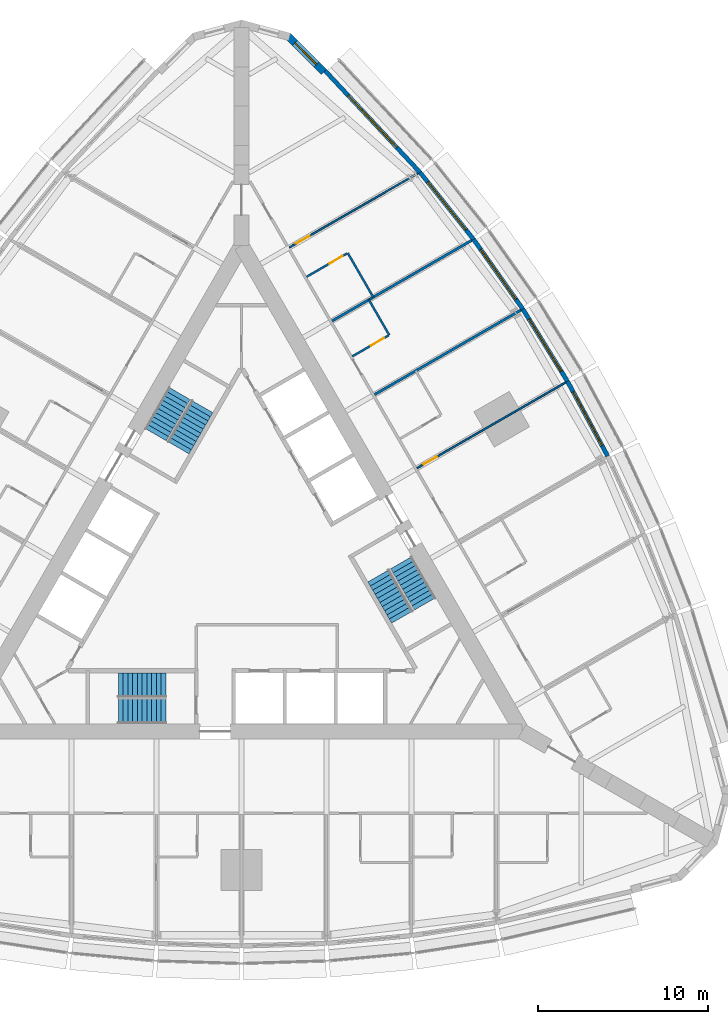
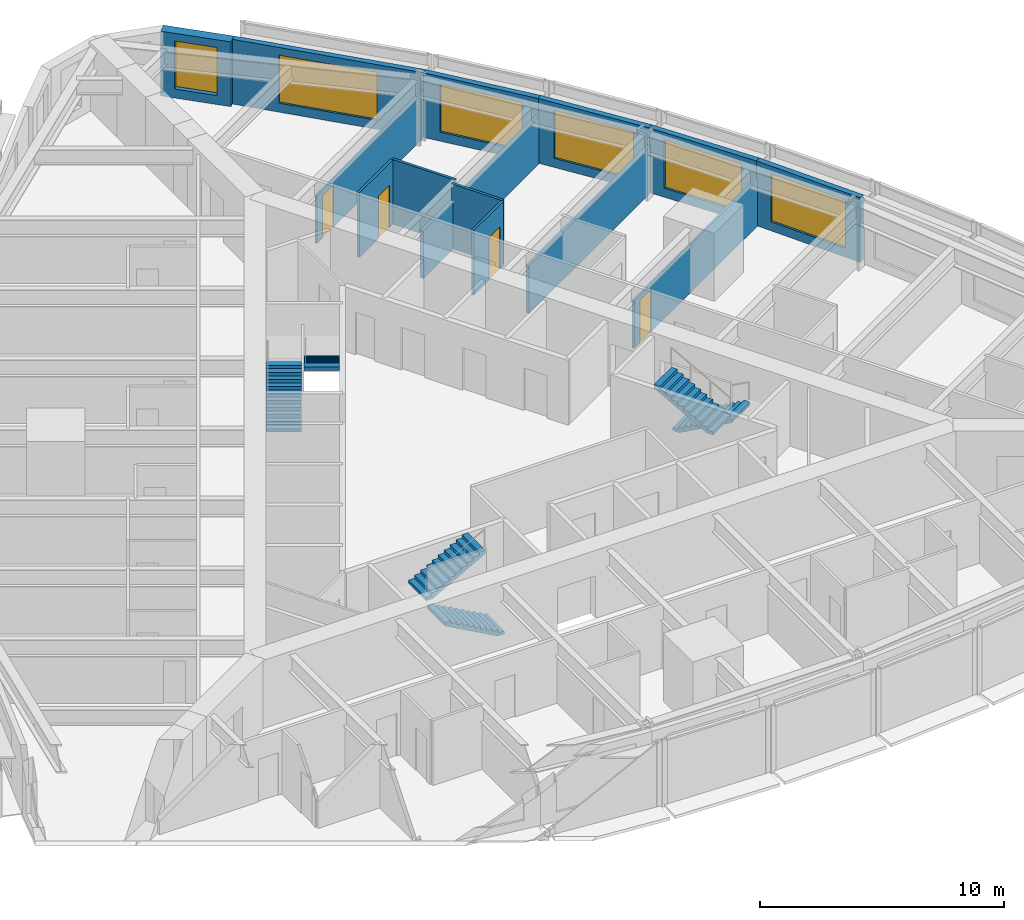
# One storey, part 13 of 14: 14 walls, 6 stair flights, 6 windows, 4 doors, 10 openings, 3 elements without a shape of their own.
"""IFC4 building model written with IfcOpenShell, lengths in metres."""

from ifc_helpers import new_model, si_unit, direction, frame, frame_2d, origin, place, context, subcontext, project, spatial, polyline, rectangle, outline, extrude, material, layer, layer_set, type_object, element, fill, aggregate, save


model = new_model("IFC4")

# Units and contexts
model_context = context("Model", 3, precision=1e-05, world=origin(), true_north=direction((0.0, 1.0)))
body_context = subcontext(model_context, "Body", "Model", "MODEL_VIEW")
ifc_project = project(units=[si_unit("LENGTHUNIT", "METRE"), si_unit("AREAUNIT", "SQUARE_METRE"), si_unit("VOLUMEUNIT", "CUBIC_METRE"), si_unit("PLANEANGLEUNIT", "RADIAN"), si_unit("MASSUNIT", "GRAM", prefix="KILO")], contexts=[model_context])

# Site, building, storey
site_placement = place(None, origin())
site = spatial("IfcSite", under=ifc_project, at=site_placement, CompositionType="ELEMENT")
building_placement = place(site_placement, origin())
building = spatial("IfcBuilding", under=site, at=building_placement, Name="Trikona Tower", CompositionType="ELEMENT")
storey_placement = place(building_placement, frame((0.0, 0.0, 76.10009765625)))
storey = spatial("IfcBuildingStorey", under=building, at=storey_placement, Name="L19", CompositionType="ELEMENT", Elevation=76.10009765625)

# Wall
ifc_material_1 = material(Name="Metal stud and cement board", Category="gypsum")
ifc_layer_1 = layer(ifc_material_1, 0.1201171875)
ifc_layer_set_1 = layer_set([ifc_layer_1], Name="Bathroom wall 120")
wall_type_1 = type_object("IfcWallType", Name="Bathroom wall 120", PredefinedType="PLUMBINGWALL", material=ifc_layer_set_1)
wall_1_placement = place(storey_placement, frame((8.693603515625, 13.794921875, 0.0), z_axis=(0.0, 0.0, 1.0), x_axis=(-0.500077600433, 0.865980596518, 0.0)))
element("IfcWall", 1, at=wall_1_placement, inside=storey, type_object=wall_type_1, Name="Bathroom wall 1910", PredefinedType="PLUMBINGWALL", context=body_context, shape_type="SweptSolid", body=[
    extrude(rectangle(XDim=2.39990234375, YDim=0.1201171875, at=frame_2d((1.199951171875, 0.0))), origin(), (0.0, 0.0, 1.0), 3.23486328125),
])

# Wall, opening, door
wall_2_placement = place(storey_placement, frame((6.528564453125, 12.544921875, 0.0), z_axis=(0.0, 0.0, 1.0), x_axis=(0.866023955769, 0.500002508028, 0.0)))
wall_2 = element("IfcWall", 2, at=wall_2_placement, inside=storey, type_object=wall_type_1, Name="Bathroom wall 1910", PredefinedType="PLUMBINGWALL", context=body_context, shape_type="SweptSolid", body=[
    extrude(rectangle(XDim=2.43994140625, YDim=0.1201171875, at=frame_2d((1.219970703125, 0.0))), origin(), (0.0, 0.0, 1.0), 3.23486328125),
])
opening_1_placement = place(wall_2_placement, frame((1.25, 0.0, 0.0)))
opening_1 = element("IfcOpeningElement", 3, at=opening_1_placement, cuts=wall_2, Name="Opening D2", PredefinedType="OPENING", context=body_context, shape_type="SweptSolid", body=[
    extrude(rectangle(XDim=0.89990234375, YDim=2.1298828125, at=frame_2d((0.449951171875, 1.06494140625))), frame((0.0, 0.070068359375, 0.0), z_axis=(0.0, -1.0, 0.0), x_axis=(1.0, 0.0, 0.0)), (0.0, 0.0, 1.0), 0.14013671875),
])
ifc_material_2 = material(Name="Steel door frame with solid-core timber leaf", Category="steel")
door_type_1 = type_object("IfcDoorType", Name="Bathroom door 900x2130", OperationType="SLIDING_TO_LEFT", PredefinedType="DOOR", material=ifc_material_2)
door_1_placement = place(opening_1_placement, origin())
door_1 = element("IfcDoor", 4, at=door_1_placement, inside=storey, type_object=door_type_1, Name="Bathroom door 1910", OperationType="SLIDING_TO_LEFT", OverallHeight=2.1298828125, OverallWidth=0.89990234375, PredefinedType="DOOR", context=body_context, shape_type="SweptSolid", body=[
    extrude(rectangle(XDim=0.89990234375, YDim=2.1298828125, at=frame_2d((0.449951171875, 1.06494140625))), frame((0.0, 0.02490234375, 0.0), z_axis=(0.0, -1.0, 0.0), x_axis=(1.0, 0.0, 0.0)), (0.0, 0.0, 1.0), 0.050048828125),
])
fill(opening_1, door_1)

# Wall
wall_3_placement = place(storey_placement, frame((7.75341796875, 16.0234375, 0.0), z_axis=(0.0, 0.0, 1.0), x_axis=(-0.499990139034, 0.866031096941, 0.0)))
element("IfcWall", 5, at=wall_3_placement, inside=storey, type_object=wall_type_1, Name="Bathroom wall 1911.1", PredefinedType="PLUMBINGWALL", context=body_context, shape_type="SweptSolid", body=[
    extrude(rectangle(XDim=3.0, YDim=0.1201171875, at=frame_2d((1.5, 0.0))), origin(), (0.0, 0.0, 1.0), 3.23486328125),
])

# Wall, opening, door
wall_4_placement = place(storey_placement, frame((3.82861328125, 17.221435546875, 0.0), z_axis=(0.0, 0.0, 1.0), x_axis=(0.865997131366, 0.500048966069, 0.0)))
wall_4 = element("IfcWall", 6, at=wall_4_placement, inside=storey, type_object=wall_type_1, Name="Bathroom wall 1911.1", PredefinedType="PLUMBINGWALL", context=body_context, shape_type="SweptSolid", body=[
    extrude(rectangle(XDim=2.739990234375, YDim=0.1201171875, at=frame_2d((1.3701171875, 0.0))), origin(), (0.0, 0.0, 1.0), 3.23486328125),
])
opening_2_placement = place(wall_4_placement, frame((1.550048828125, 0.0, 0.0)))
opening_2 = element("IfcOpeningElement", 7, at=opening_2_placement, cuts=wall_4, Name="Opening D2", PredefinedType="OPENING", context=body_context, shape_type="SweptSolid", body=[
    extrude(rectangle(XDim=0.89990234375, YDim=2.1298828125, at=frame_2d((0.449951171875, 1.06494140625))), frame((0.0, 0.070068359375, 0.0), z_axis=(0.0, -1.0, 0.0), x_axis=(1.0, 0.0, 0.0)), (0.0, 0.0, 1.0), 0.14013671875),
])
door_2_placement = place(opening_2_placement, origin())
door_2 = element("IfcDoor", 8, at=door_2_placement, inside=storey, type_object=door_type_1, Name="Bathroom door 1911.1", OperationType="SLIDING_TO_LEFT", OverallHeight=2.1298828125, OverallWidth=0.89990234375, PredefinedType="DOOR", context=body_context, shape_type="SweptSolid", body=[
    extrude(rectangle(XDim=0.89990234375, YDim=2.1298828125, at=frame_2d((0.449951171875, 1.06494140625))), frame((0.0, 0.02490234375, 0.0), z_axis=(0.0, -1.0, 0.0), x_axis=(1.0, 0.0, 0.0)), (0.0, 0.0, 1.0), 0.050048828125),
])
fill(opening_2, door_2)

# Wall, opening, window
ifc_material_3 = material(Name="Brick-faced precast concrete", Category="masonry")
ifc_layer_2 = layer(ifc_material_3, 0.449951171875)
ifc_layer_set_2 = layer_set([ifc_layer_2], Name="Brick-faced corner wall 450")
wall_type_2 = type_object("IfcWallType", Name="Brick-faced corner wall 450", PredefinedType="SOLIDWALL", material=ifc_layer_set_2)
wall_5_placement = place(storey_placement, frame((4.8408203125, 29.285888671875, 0.0), z_axis=(0.0, 0.0, 1.0), x_axis=(-0.707106781187, 0.707106781187, 0.0)))
wall_5 = element("IfcWall", 9, at=wall_5_placement, inside=storey, type_object=wall_type_2, Name="External wall L19-20", PredefinedType="SOLIDWALL", context=body_context, shape_type="SweptSolid", body=[
    extrude(rectangle(XDim=2.98828125, YDim=0.449951171875, at=frame_2d((1.494140625, 0.0))), origin(), (0.0, 0.0, 1.0), 3.23486328125),
])
opening_3_placement = place(wall_5_placement, frame((0.59423828125, 0.0, 0.449951171875)))
opening_3 = element("IfcOpeningElement", 10, at=opening_3_placement, cuts=wall_5, Name="Opening W1824", PredefinedType="OPENING", context=body_context, shape_type="SweptSolid", body=[
    extrude(rectangle(XDim=1.800048828125, YDim=2.39990234375, at=frame_2d((0.89990234375, 1.199951171875))), frame((0.0, 0.23486328125, 0.0), z_axis=(0.0, -1.0, 0.0), x_axis=(1.0, 0.0, 0.0)), (0.0, 0.0, 1.0), 0.469970703125),
])
ifc_material_4 = material(Name="Aluminium-framed double glazing", Category="aluminium")
window_type_1 = type_object("IfcWindowType", Name="Window 1800x2400", PartitioningType="SINGLE_PANEL", PredefinedType="WINDOW", material=ifc_material_4)
window_1_placement = place(opening_3_placement, origin())
window_1 = element("IfcWindow", 11, at=window_1_placement, inside=storey, type_object=window_type_1, Name="Window 1911", OverallHeight=2.39990234375, OverallWidth=1.800048828125, PartitioningType="SINGLE_PANEL", PredefinedType="WINDOW", context=body_context, shape_type="SweptSolid", body=[
    extrude(rectangle(XDim=1.800048828125, YDim=2.39990234375, at=frame_2d((0.89990234375, 1.199951171875))), frame((0.0, 0.030029296875, 0.0), z_axis=(0.0, -1.0, 0.0), x_axis=(1.0, 0.0, 0.0)), (0.0, 0.0, 1.0), 0.06005859375),
])
fill(opening_3, window_1)

ifc_material_5 = material(Name="Insulated precast concrete spandrel panel", Category="concrete")
ifc_layer_3 = layer(ifc_material_5, 0.25)
ifc_layer_set_3 = layer_set([ifc_layer_3], Name="Inner skin wall 250")
wall_type_3 = type_object("IfcWallType", Name="Inner skin wall 250", PredefinedType="STANDARD", material=ifc_layer_set_3)
wall_6_placement = place(storey_placement, frame((21.546630859375, 6.6708984375, 0.0), z_axis=(0.0, 0.0, 1.0), x_axis=(-0.473412820489, 0.880840678782, 0.0)))
wall_6 = element("IfcWall", 12, at=wall_6_placement, inside=storey, type_object=wall_type_3, Name="External wall L19-15", PredefinedType="STANDARD", context=body_context, shape_type="SweptSolid", body=[
    extrude(rectangle(XDim=5.00244140625, YDim=0.25, at=frame_2d((2.501220703125, 0.0))), origin(), (0.0, 0.0, 1.0), 3.23486328125),
])
opening_4_placement = place(wall_6_placement, frame((0.701171875, 0.0, 0.449951171875)))
opening_4 = element("IfcOpeningElement", 13, at=opening_4_placement, cuts=wall_6, Name="Opening W3624", PredefinedType="OPENING", context=body_context, shape_type="SweptSolid", body=[
    extrude(rectangle(XDim=3.60009765625, YDim=2.39990234375, at=frame_2d((1.800048828125, 1.199951171875))), frame((0.0, 0.135009765625, 0.0), z_axis=(0.0, -1.0, 0.0), x_axis=(1.0, 0.0, 0.0)), (0.0, 0.0, 1.0), 0.27001953125),
])
ifc_material_6 = material(Name="Aluminium-framed double glazing", Category="aluminium")
window_type_2 = type_object("IfcWindowType", Name="Window 3600x2400", PartitioningType="SINGLE_PANEL", PredefinedType="WINDOW", material=ifc_material_6)
window_2_placement = place(opening_4_placement, origin())
window_2 = element("IfcWindow", 14, at=window_2_placement, inside=storey, type_object=window_type_2, Name="Window 1909", OverallHeight=2.39990234375, OverallWidth=3.60009765625, PartitioningType="SINGLE_PANEL", PredefinedType="WINDOW", context=body_context, shape_type="SweptSolid", body=[
    extrude(rectangle(XDim=3.60009765625, YDim=2.39990234375, at=frame_2d((1.800048828125, 1.199951171875))), frame((0.0, 0.030029296875, 0.0), z_axis=(0.0, -1.0, 0.0), x_axis=(1.0, 0.0, 0.0)), (0.0, 0.0, 1.0), 0.06005859375),
])
fill(opening_4, window_2)

wall_7_placement = place(storey_placement, frame((19.182373046875, 11.070556640625, 0.0), z_axis=(0.0, 0.0, 1.0), x_axis=(-0.526132807704, 0.850402415717, 0.0)))
wall_7 = element("IfcWall", 15, at=wall_7_placement, inside=storey, type_object=wall_type_3, Name="External wall L19-16", PredefinedType="STANDARD", context=body_context, shape_type="SweptSolid", body=[
    extrude(rectangle(XDim=5.002197265625, YDim=0.25, at=frame_2d((2.5009765625, 0.0))), origin(), (0.0, 0.0, 1.0), 3.23486328125),
])
opening_5_placement = place(wall_7_placement, frame((0.701171875, 0.0, 0.449951171875)))
opening_5 = element("IfcOpeningElement", 16, at=opening_5_placement, cuts=wall_7, Name="Opening W3624", PredefinedType="OPENING", context=body_context, shape_type="SweptSolid", body=[
    extrude(rectangle(XDim=3.60009765625, YDim=2.39990234375, at=frame_2d((1.800048828125, 1.199951171875))), frame((0.0, 0.135009765625, 0.0), z_axis=(0.0, -1.0, 0.0), x_axis=(1.0, 0.0, 0.0)), (0.0, 0.0, 1.0), 0.27001953125),
])
window_3_placement = place(opening_5_placement, origin())
window_3 = element("IfcWindow", 17, at=window_3_placement, inside=storey, type_object=window_type_2, Name="Window 1909.1", OverallHeight=2.39990234375, OverallWidth=3.60009765625, PartitioningType="SINGLE_PANEL", PredefinedType="WINDOW", context=body_context, shape_type="SweptSolid", body=[
    extrude(rectangle(XDim=3.60009765625, YDim=2.39990234375, at=frame_2d((1.800048828125, 1.199951171875))), frame((0.0, 0.030029296875, 0.0), z_axis=(0.0, -1.0, 0.0), x_axis=(1.0, 0.0, 0.0)), (0.0, 0.0, 1.0), 0.06005859375),
])
fill(opening_5, window_3)

wall_8_placement = place(storey_placement, frame((16.5546875, 15.318115234375, 0.0), z_axis=(0.0, 0.0, 1.0), x_axis=(-0.5766431066, 0.81699616132, 0.0)))
wall_8 = element("IfcWall", 18, at=wall_8_placement, inside=storey, type_object=wall_type_3, Name="External wall L19-17", PredefinedType="STANDARD", context=body_context, shape_type="SweptSolid", body=[
    extrude(rectangle(XDim=5.02099609375, YDim=0.25, at=frame_2d((2.510498046875, 0.0))), origin(), (0.0, 0.0, 1.0), 3.23486328125),
])
opening_6_placement = place(wall_8_placement, frame((0.71044921875, 0.0, 0.449951171875)))
opening_6 = element("IfcOpeningElement", 19, at=opening_6_placement, cuts=wall_8, Name="Opening W3624", PredefinedType="OPENING", context=body_context, shape_type="SweptSolid", body=[
    extrude(rectangle(XDim=3.60009765625, YDim=2.39990234375, at=frame_2d((1.800048828125, 1.199951171875))), frame((0.0, 0.135009765625, 0.0), z_axis=(0.0, -1.0, 0.0), x_axis=(1.0, 0.0, 0.0)), (0.0, 0.0, 1.0), 0.27001953125),
])
window_4_placement = place(opening_6_placement, origin())
window_4 = element("IfcWindow", 20, at=window_4_placement, inside=storey, type_object=window_type_2, Name="Window 1910", OverallHeight=2.39990234375, OverallWidth=3.60009765625, PartitioningType="SINGLE_PANEL", PredefinedType="WINDOW", context=body_context, shape_type="SweptSolid", body=[
    extrude(rectangle(XDim=3.60009765625, YDim=2.39990234375, at=frame_2d((1.800048828125, 1.199951171875))), frame((0.0, 0.030029296875, 0.0), z_axis=(0.0, -1.0, 0.0), x_axis=(1.0, 0.0, 0.0)), (0.0, 0.0, 1.0), 0.06005859375),
])
fill(opening_6, window_4)

wall_9_placement = place(storey_placement, frame((13.663818359375, 19.4140625, 0.0), z_axis=(0.0, 0.0, 1.0), x_axis=(-0.624594965756, 0.780948864364, 0.0)))
wall_9 = element("IfcWall", 21, at=wall_9_placement, inside=storey, type_object=wall_type_3, Name="External wall L19-18", PredefinedType="STANDARD", context=body_context, shape_type="SweptSolid", body=[
    extrude(rectangle(XDim=5.0576171875, YDim=0.25, at=frame_2d((2.52880859375, 0.0))), origin(), (0.0, 0.0, 1.0), 3.23486328125),
])
opening_7_placement = place(wall_9_placement, frame((0.728759765625, 0.0, 0.449951171875)))
opening_7 = element("IfcOpeningElement", 22, at=opening_7_placement, cuts=wall_9, Name="Opening W3624", PredefinedType="OPENING", context=body_context, shape_type="SweptSolid", body=[
    extrude(rectangle(XDim=3.60009765625, YDim=2.39990234375, at=frame_2d((1.800048828125, 1.199951171875))), frame((0.0, 0.135009765625, 0.0), z_axis=(0.0, -1.0, 0.0), x_axis=(1.0, 0.0, 0.0)), (0.0, 0.0, 1.0), 0.27001953125),
])
window_5_placement = place(opening_7_placement, origin())
window_5 = element("IfcWindow", 23, at=window_5_placement, inside=storey, type_object=window_type_2, Name="Window 1911.1", OverallHeight=2.39990234375, OverallWidth=3.60009765625, PartitioningType="SINGLE_PANEL", PredefinedType="WINDOW", context=body_context, shape_type="SweptSolid", body=[
    extrude(rectangle(XDim=3.60009765625, YDim=2.39990234375, at=frame_2d((1.800048828125, 1.199951171875))), frame((0.0, 0.030029296875, 0.0), z_axis=(0.0, -1.0, 0.0), x_axis=(1.0, 0.0, 0.0)), (0.0, 0.0, 1.0), 0.06005859375),
])
fill(opening_7, window_5)

wall_10_placement = place(storey_placement, frame((10.510986328125, 23.356689453125, 0.0), z_axis=(0.0, 0.0, 1.0), x_axis=(-0.682289646561, 0.731081964075, 0.0)))
wall_10 = element("IfcWall", 24, at=wall_10_placement, inside=storey, type_object=wall_type_3, Name="External wall L19-19", PredefinedType="STANDARD", context=body_context, shape_type="SweptSolid", body=[
    extrude(rectangle(XDim=8.2109375, YDim=0.25, at=frame_2d((4.10546875, 0.0))), origin(), (0.0, 0.0, 1.0), 3.23486328125),
])
opening_8_placement = place(wall_10_placement, frame((2.005615234375, 0.0, 0.449951171875)))
opening_8 = element("IfcOpeningElement", 25, at=opening_8_placement, cuts=wall_10, Name="Opening W4224", PredefinedType="OPENING", context=body_context, shape_type="SweptSolid", body=[
    extrude(rectangle(XDim=4.199951171875, YDim=2.39990234375, at=frame_2d((2.10009765625, 1.199951171875))), frame((0.0, 0.135009765625, 0.0), z_axis=(0.0, -1.0, 0.0), x_axis=(1.0, 0.0, 0.0)), (0.0, 0.0, 1.0), 0.27001953125),
])
ifc_material_7 = material(Name="Aluminium-framed double glazing", Category="aluminium")
window_type_3 = type_object("IfcWindowType", Name="Window 4200x2400", PartitioningType="SINGLE_PANEL", PredefinedType="WINDOW", material=ifc_material_7)
window_6_placement = place(opening_8_placement, origin())
window_6 = element("IfcWindow", 26, at=window_6_placement, inside=storey, type_object=window_type_3, Name="Window 1911", OverallHeight=2.39990234375, OverallWidth=4.199951171875, PartitioningType="SINGLE_PANEL", PredefinedType="WINDOW", context=body_context, shape_type="SweptSolid", body=[
    extrude(rectangle(XDim=4.199951171875, YDim=2.39990234375, at=frame_2d((2.10009765625, 1.199951171875))), frame((0.0, 0.030029296875, 0.0), z_axis=(0.0, -1.0, 0.0), x_axis=(1.0, 0.0, 0.0)), (0.0, 0.0, 1.0), 0.06005859375),
])
fill(opening_8, window_6)

# Walls
ifc_material_8 = material(Name="Metal stud and gypsum board, 1-hour acoustic", Category="gypsum")
ifc_layer_4 = layer(ifc_material_8, 0.14990234375)
ifc_layer_set_4 = layer_set([ifc_layer_4], Name="Party wall 150")
wall_type_4 = type_object("IfcWallType", Name="Party wall 150", PredefinedType="PARTITIONING", material=ifc_layer_set_4)
wall_11_placement = place(storey_placement, frame((7.82861328125, 10.293212890625, 0.0), z_axis=(0.0, 0.0, 1.0), x_axis=(0.866016302457, 0.50001576363, 0.0)))
element("IfcWall", 27, at=wall_11_placement, inside=storey, type_object=wall_type_4, Name="Partition L19 F2 u5", PredefinedType="PARTITIONING", context=body_context, shape_type="SweptSolid", body=[
    extrude(rectangle(XDim=9.943115234375, YDim=0.14990234375, at=frame_2d((4.9716796875, 0.0))), origin(), (0.0, 0.0, 1.0), 2.38916015625),
])
wall_12_placement = place(storey_placement, frame((5.32861328125, 14.623291015625, 0.0), z_axis=(0.0, 0.0, 1.0), x_axis=(0.866018409083, 0.500012114982, 0.0)))
element("IfcWall", 28, at=wall_12_placement, inside=storey, type_object=wall_type_4, Name="Partition L19 F2 u10", PredefinedType="PARTITIONING", context=body_context, shape_type="SweptSolid", body=[
    extrude(rectangle(XDim=9.484619140625, YDim=0.14990234375, at=frame_2d((4.7421875, 0.0))), origin(), (0.0, 0.0, 1.0), 2.38916015625),
])

# Wall, opening, door
ifc_material_9 = material(Name="Metal stud and gypsum board, acoustic", Category="gypsum")
ifc_layer_5 = layer(ifc_material_9, 0.10009765625)
ifc_layer_set_5 = layer_set([ifc_layer_5], Name="Suite partition 100")
wall_type_5 = type_object("IfcWallType", Name="Suite partition 100", PredefinedType="PARTITIONING", material=ifc_layer_set_5)
wall_13_placement = place(storey_placement, frame((10.32861328125, 5.963134765625, 0.0), z_axis=(0.0, 0.0, 1.0), x_axis=(0.866021688545, 0.500006434927, 0.0)))
wall_13 = element("IfcWall", 29, at=wall_13_placement, inside=storey, type_object=wall_type_5, Name="Suite partition L19 F2 u0", PredefinedType="PARTITIONING", context=body_context, shape_type="SweptSolid", body=[
    extrude(rectangle(XDim=10.095947265625, YDim=0.10009765625, at=frame_2d((5.0478515625, 0.0))), origin(), (0.0, 0.0, 1.0), 2.38916015625),
])
opening_9_placement = place(wall_13_placement, frame((0.449951171875, 0.0, 0.0)))
opening_9 = element("IfcOpeningElement", 30, at=opening_9_placement, cuts=wall_13, Name="Opening D13", PredefinedType="OPENING", context=body_context, shape_type="SweptSolid", body=[
    extrude(rectangle(XDim=0.89990234375, YDim=2.1298828125, at=frame_2d((0.449951171875, 1.06494140625))), frame((0.0, 0.06005859375, 0.0), z_axis=(0.0, -1.0, 0.0), x_axis=(1.0, 0.0, 0.0)), (0.0, 0.0, 1.0), 0.1201171875),
])
ifc_material_10 = material(Name="Steel door frame with solid-core timber leaf", Category="steel")
door_type_2 = type_object("IfcDoorType", Name="Suite door 900x2130", OperationType="SINGLE_SWING_LEFT", PredefinedType="DOOR", material=ifc_material_10)
door_3_placement = place(opening_9_placement, origin())
door_3 = element("IfcDoor", 31, at=door_3_placement, inside=storey, type_object=door_type_2, Name="Suite door 1909", OperationType="SINGLE_SWING_LEFT", OverallHeight=2.1298828125, OverallWidth=0.89990234375, PredefinedType="DOOR", context=body_context, shape_type="SweptSolid", body=[
    extrude(rectangle(XDim=0.89990234375, YDim=2.1298828125, at=frame_2d((0.449951171875, 1.06494140625))), frame((0.0, 0.02490234375, 0.0), z_axis=(0.0, -1.0, 0.0), x_axis=(1.0, 0.0, 0.0)), (0.0, 0.0, 1.0), 0.050048828125),
])
fill(opening_9, door_3)

wall_14_placement = place(storey_placement, frame((2.82861328125, 18.95361328125, 0.0), z_axis=(0.0, 0.0, 1.0), x_axis=(0.866020536561, 0.500008430184, 0.0)))
wall_14 = element("IfcWall", 32, at=wall_14_placement, inside=storey, type_object=wall_type_5, Name="Suite partition L19 F2 u15", PredefinedType="PARTITIONING", context=body_context, shape_type="SweptSolid", body=[
    extrude(rectangle(XDim=8.719970703125, YDim=0.10009765625, at=frame_2d((4.35986328125, 0.0))), origin(), (0.0, 0.0, 1.0), 2.38916015625),
])
opening_10_placement = place(wall_14_placement, frame((0.449951171875, 0.0, 0.0)))
opening_10 = element("IfcOpeningElement", 33, at=opening_10_placement, cuts=wall_14, Name="Opening D13", PredefinedType="OPENING", context=body_context, shape_type="SweptSolid", body=[
    extrude(rectangle(XDim=0.89990234375, YDim=2.1298828125, at=frame_2d((0.449951171875, 1.06494140625))), frame((0.0, 0.06005859375, 0.0), z_axis=(0.0, -1.0, 0.0), x_axis=(1.0, 0.0, 0.0)), (0.0, 0.0, 1.0), 0.1201171875),
])
door_4_placement = place(opening_10_placement, origin())
door_4 = element("IfcDoor", 34, at=door_4_placement, inside=storey, type_object=door_type_2, Name="Suite door 1911", OperationType="SINGLE_SWING_LEFT", OverallHeight=2.1298828125, OverallWidth=0.89990234375, PredefinedType="DOOR", context=body_context, shape_type="SweptSolid", body=[
    extrude(rectangle(XDim=0.89990234375, YDim=2.1298828125, at=frame_2d((0.449951171875, 1.06494140625))), frame((0.0, 0.02490234375, 0.0), z_axis=(0.0, -1.0, 0.0), x_axis=(1.0, 0.0, 0.0)), (0.0, 0.0, 1.0), 0.050048828125),
])
fill(opening_10, door_4)

# Stair, stair flights
ifc_material_11 = material(Name="Concrete f'c 5000 psi", Category="concrete")
stair_type = type_object("IfcStairType", Name="Core stair", PredefinedType="HALF_TURN_STAIR", material=ifc_material_11)
stair_1_placement = place(storey_placement, origin())
stair_1 = element("IfcStair", 35, at=stair_1_placement, inside=storey, type_object=stair_type, Name="Stair A L19", PredefinedType="HALF_TURN_STAIR")
ifc_material_12 = material(Name="Concrete f'c 5000 psi", Category="concrete")
stair_flight_type = type_object("IfcStairFlightType", Name="Core stair flight 1450", PredefinedType="STRAIGHT", material=ifc_material_12)
stair_flight_1_placement = place(storey_placement, frame((-4.449951171875, -8.351318359375, 0.0), z_axis=(0.0, 0.0, 1.0), x_axis=(-1.0, 0.0, 0.0)))
stair_flight_1 = element("IfcStairFlight", 36, at=stair_flight_1_placement, type_object=stair_flight_type, Name="ST-A flight 1", NumberOfRisers=11, NumberOfTreads=10, PredefinedType="STRAIGHT", RiserHeight=0.154545, TreadLength=0.28, context=body_context, shape_type="SweptSolid", body=[
    extrude(outline(polyline([(0.0, 0.0), (0.0, 0.154541015625), (0.280029296875, 0.154541015625), (0.280029296875, 0.30908203125), (0.56005859375, 0.30908203125), (0.56005859375, 0.463623046875), (0.840087890625, 0.463623046875), (0.840087890625, 0.6181640625), (1.1201171875, 0.6181640625), (1.1201171875, 0.772705078125), (1.39990234375, 0.772705078125), (1.39990234375, 0.92724609375), (1.679931640625, 0.92724609375), (1.679931640625, 1.081787109375), (1.9599609375, 1.081787109375), (1.9599609375, 1.236328125), (2.239990234375, 1.236328125), (2.239990234375, 1.390869140625), (2.52001953125, 1.390869140625), (2.52001953125, 1.54541015625), (2.800048828125, 1.54541015625), (2.800048828125, 1.699951171875), (2.800048828125, 1.374267578125), (0.310302734375, 0.0), (0.0, 0.0)])), frame((0.0, 0.72509765625, 0.0), z_axis=(0.0, -1.0, 0.0), x_axis=(1.0, 0.0, 0.0)), (0.0, 0.0, 1.0), 1.449951171875),
])
stair_flight_2_placement = place(storey_placement, frame((-7.25, -6.80126953125, 1.699951171875), z_axis=(0.0, 0.0, 1.0), x_axis=(1.0, 0.0, 0.0)))
stair_flight_2 = element("IfcStairFlight", 37, at=stair_flight_2_placement, type_object=stair_flight_type, Name="ST-A flight 2", NumberOfRisers=11, NumberOfTreads=10, PredefinedType="STRAIGHT", RiserHeight=0.154545, TreadLength=0.28, context=body_context, shape_type="SweptSolid", body=[
    extrude(outline(polyline([(0.0, 0.0), (0.0, 0.154541015625), (0.280029296875, 0.154541015625), (0.280029296875, 0.30908203125), (0.56005859375, 0.30908203125), (0.56005859375, 0.463623046875), (0.840087890625, 0.463623046875), (0.840087890625, 0.6181640625), (1.1201171875, 0.6181640625), (1.1201171875, 0.772705078125), (1.39990234375, 0.772705078125), (1.39990234375, 0.92724609375), (1.679931640625, 0.92724609375), (1.679931640625, 1.081787109375), (1.9599609375, 1.081787109375), (1.9599609375, 1.236328125), (2.239990234375, 1.236328125), (2.239990234375, 1.390869140625), (2.52001953125, 1.390869140625), (2.52001953125, 1.54541015625), (2.800048828125, 1.54541015625), (2.800048828125, 1.699951171875), (2.800048828125, 1.374267578125), (0.310302734375, 0.0), (0.0, 0.0)])), frame((0.0, 0.72509765625, 0.0), z_axis=(0.0, -1.0, 0.0), x_axis=(1.0, 0.0, 0.0)), (0.0, 0.0, 1.0), 1.449951171875),
])
aggregate(stair_1, [stair_flight_1, stair_flight_2])

stair_2_placement = place(storey_placement, origin())
stair_2 = element("IfcStair", 38, at=stair_2_placement, inside=storey, type_object=stair_type, Name="Stair B L19", PredefinedType="HALF_TURN_STAIR")
stair_flight_3_placement = place(storey_placement, frame((9.407470703125, 0.408447265625, 0.0), z_axis=(0.0, 0.0, 1.0), x_axis=(0.5, -0.866025403784, 0.0)))
stair_flight_3 = element("IfcStairFlight", 39, at=stair_flight_3_placement, type_object=stair_flight_type, Name="ST-B flight 1", NumberOfRisers=11, NumberOfTreads=10, PredefinedType="STRAIGHT", RiserHeight=0.154545, TreadLength=0.28, context=body_context, shape_type="SweptSolid", body=[
    extrude(outline(polyline([(0.0, 0.0), (0.0, 0.154541015625), (0.280029296875, 0.154541015625), (0.280029296875, 0.30908203125), (0.56005859375, 0.30908203125), (0.56005859375, 0.463623046875), (0.840087890625, 0.463623046875), (0.840087890625, 0.6181640625), (1.1201171875, 0.6181640625), (1.1201171875, 0.772705078125), (1.39990234375, 0.772705078125), (1.39990234375, 0.92724609375), (1.679931640625, 0.92724609375), (1.679931640625, 1.081787109375), (1.9599609375, 1.081787109375), (1.9599609375, 1.236328125), (2.239990234375, 1.236328125), (2.239990234375, 1.390869140625), (2.52001953125, 1.390869140625), (2.52001953125, 1.54541015625), (2.800048828125, 1.54541015625), (2.800048828125, 1.699951171875), (2.800048828125, 1.374267578125), (0.310302734375, 0.0), (0.0, 0.0)])), frame((0.0, 0.72509765625, 0.0), z_axis=(0.0, -1.0, 0.0), x_axis=(1.0, 0.0, 0.0)), (0.0, 0.0, 1.0), 1.449951171875),
])
stair_flight_4_placement = place(storey_placement, frame((9.465087890625, -2.79150390625, 1.699951171875), z_axis=(0.0, 0.0, 1.0), x_axis=(-0.5, 0.866025403784, 0.0)))
stair_flight_4 = element("IfcStairFlight", 40, at=stair_flight_4_placement, type_object=stair_flight_type, Name="ST-B flight 2", NumberOfRisers=11, NumberOfTreads=10, PredefinedType="STRAIGHT", RiserHeight=0.154545, TreadLength=0.28, context=body_context, shape_type="SweptSolid", body=[
    extrude(outline(polyline([(0.0, 0.0), (0.0, 0.154541015625), (0.280029296875, 0.154541015625), (0.280029296875, 0.30908203125), (0.56005859375, 0.30908203125), (0.56005859375, 0.463623046875), (0.840087890625, 0.463623046875), (0.840087890625, 0.6181640625), (1.1201171875, 0.6181640625), (1.1201171875, 0.772705078125), (1.39990234375, 0.772705078125), (1.39990234375, 0.92724609375), (1.679931640625, 0.92724609375), (1.679931640625, 1.081787109375), (1.9599609375, 1.081787109375), (1.9599609375, 1.236328125), (2.239990234375, 1.236328125), (2.239990234375, 1.390869140625), (2.52001953125, 1.390869140625), (2.52001953125, 1.54541015625), (2.800048828125, 1.54541015625), (2.800048828125, 1.699951171875), (2.800048828125, 1.374267578125), (0.310302734375, 0.0), (0.0, 0.0)])), frame((0.0, 0.72509765625, 0.0), z_axis=(0.0, -1.0, 0.0), x_axis=(1.0, 0.0, 0.0)), (0.0, 0.0, 1.0), 1.449951171875),
])
aggregate(stair_2, [stair_flight_3, stair_flight_4])

stair_3_placement = place(storey_placement, origin())
stair_3 = element("IfcStair", 41, at=stair_3_placement, inside=storey, type_object=stair_type, Name="Stair C L19", PredefinedType="HALF_TURN_STAIR")
stair_flight_5_placement = place(storey_placement, frame((-5.057373046875, 7.94287109375, 0.0), z_axis=(0.0, 0.0, 1.0), x_axis=(0.5, 0.866025403784, 0.0)))
stair_flight_5 = element("IfcStairFlight", 42, at=stair_flight_5_placement, type_object=stair_flight_type, Name="ST-C flight 1", NumberOfRisers=11, NumberOfTreads=10, PredefinedType="STRAIGHT", RiserHeight=0.154545, TreadLength=0.28, context=body_context, shape_type="SweptSolid", body=[
    extrude(outline(polyline([(0.0, 0.0), (0.0, 0.154541015625), (0.280029296875, 0.154541015625), (0.280029296875, 0.30908203125), (0.56005859375, 0.30908203125), (0.56005859375, 0.463623046875), (0.840087890625, 0.463623046875), (0.840087890625, 0.6181640625), (1.1201171875, 0.6181640625), (1.1201171875, 0.772705078125), (1.39990234375, 0.772705078125), (1.39990234375, 0.92724609375), (1.679931640625, 0.92724609375), (1.679931640625, 1.081787109375), (1.9599609375, 1.081787109375), (1.9599609375, 1.236328125), (2.239990234375, 1.236328125), (2.239990234375, 1.390869140625), (2.52001953125, 1.390869140625), (2.52001953125, 1.54541015625), (2.800048828125, 1.54541015625), (2.800048828125, 1.699951171875), (2.800048828125, 1.374267578125), (0.310302734375, 0.0), (0.0, 0.0)])), frame((0.0, 0.72509765625, 0.0), z_axis=(0.0, -1.0, 0.0), x_axis=(1.0, 0.0, 0.0)), (0.0, 0.0, 1.0), 1.449951171875),
])
stair_flight_6_placement = place(storey_placement, frame((-2.315185546875, 9.5927734375, 1.699951171875), z_axis=(0.0, 0.0, 1.0), x_axis=(-0.5, -0.866025403784, 0.0)))
stair_flight_6 = element("IfcStairFlight", 43, at=stair_flight_6_placement, type_object=stair_flight_type, Name="ST-C flight 2", NumberOfRisers=11, NumberOfTreads=10, PredefinedType="STRAIGHT", RiserHeight=0.154545, TreadLength=0.28, context=body_context, shape_type="SweptSolid", body=[
    extrude(outline(polyline([(0.0, 0.0), (0.0, 0.154541015625), (0.280029296875, 0.154541015625), (0.280029296875, 0.30908203125), (0.56005859375, 0.30908203125), (0.56005859375, 0.463623046875), (0.840087890625, 0.463623046875), (0.840087890625, 0.6181640625), (1.1201171875, 0.6181640625), (1.1201171875, 0.772705078125), (1.39990234375, 0.772705078125), (1.39990234375, 0.92724609375), (1.679931640625, 0.92724609375), (1.679931640625, 1.081787109375), (1.9599609375, 1.081787109375), (1.9599609375, 1.236328125), (2.239990234375, 1.236328125), (2.239990234375, 1.390869140625), (2.52001953125, 1.390869140625), (2.52001953125, 1.54541015625), (2.800048828125, 1.54541015625), (2.800048828125, 1.699951171875), (2.800048828125, 1.374267578125), (0.310302734375, 0.0), (0.0, 0.0)])), frame((0.0, 0.72509765625, 0.0), z_axis=(0.0, -1.0, 0.0), x_axis=(1.0, 0.0, 0.0)), (0.0, 0.0, 1.0), 1.449951171875),
])
aggregate(stair_3, [stair_flight_5, stair_flight_6])

save(model, "model.ifc")
